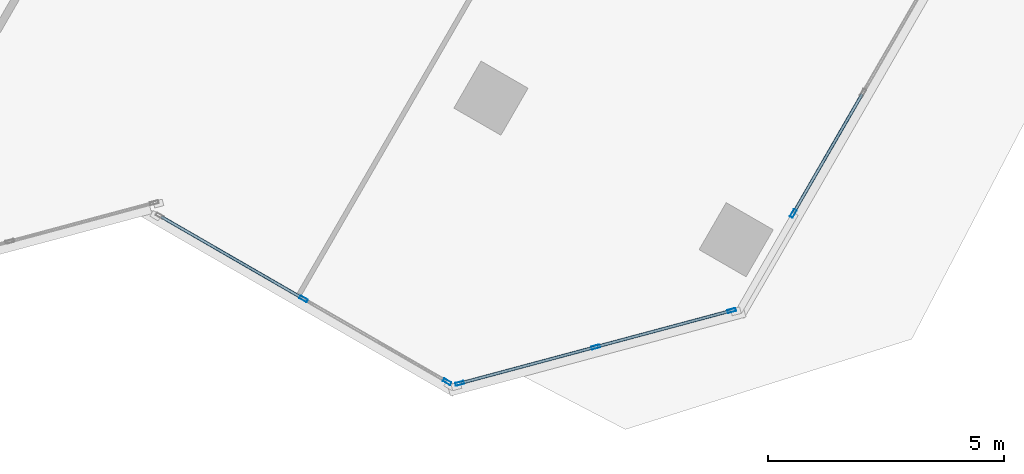
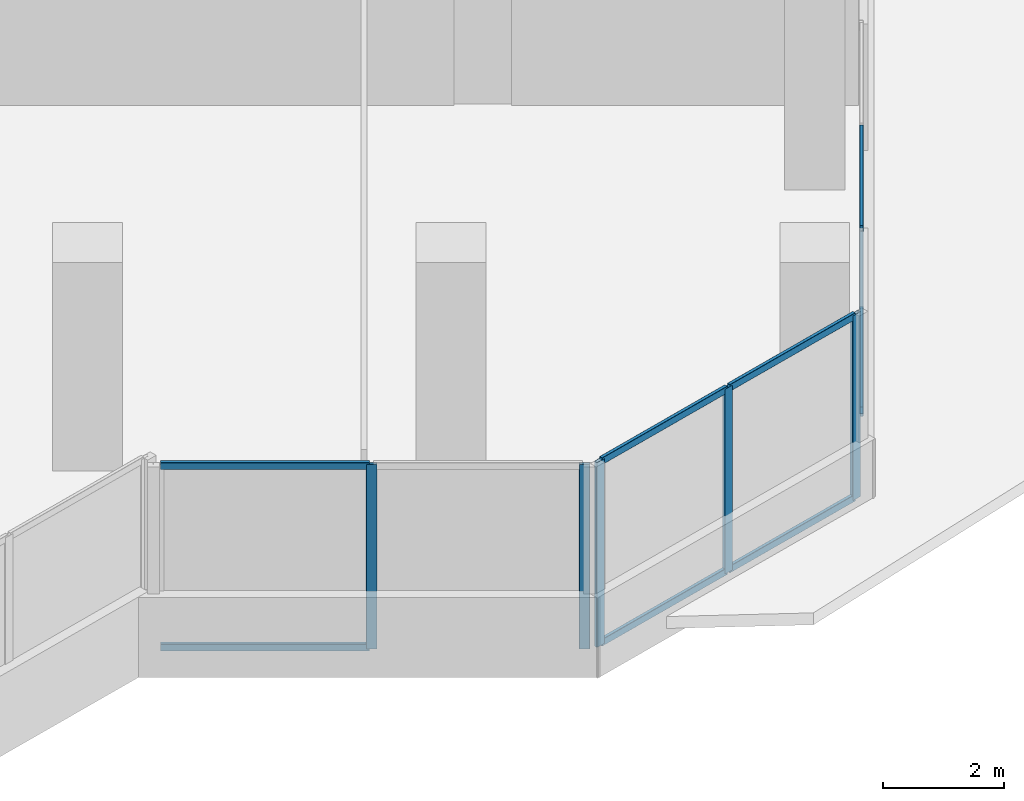
# One storey, part 8 of 21: 14 members, 3 elements without a shape of their own.
"""IFC4 building model written with IfcOpenShell, lengths in metres."""

from ifc_helpers import new_model, si_unit, direction, frame, origin, origin_2d, place, context, subcontext, project, spatial, hollow_rectangle, extrude, source, transform, mapped, material, material_profile, profile_set, type_object, element, aggregate, save


model = new_model("IFC4")

# Units and contexts
model_context = context("Model", 3, precision=1e-05, world=origin(), true_north=direction((0.0, 1.0)))
body_context = subcontext(model_context, "Body", "Model", "MODEL_VIEW")
ifc_project = project(units=[si_unit("LENGTHUNIT", "METRE"), si_unit("AREAUNIT", "SQUARE_METRE"), si_unit("VOLUMEUNIT", "CUBIC_METRE"), si_unit("PLANEANGLEUNIT", "RADIAN"), si_unit("MASSUNIT", "GRAM", prefix="KILO")], contexts=[model_context])

# Site, building, storey
site_placement = place(None, origin())
site = spatial("IfcSite", under=ifc_project, at=site_placement, CompositionType="ELEMENT")
building_placement = place(site_placement, origin())
building = spatial("IfcBuilding", under=site, at=building_placement, Name="Torre Montelarca", CompositionType="ELEMENT")
storey_placement = place(building_placement, frame((0.0, 0.0, 179.199951171875)))
storey = spatial("IfcBuildingStorey", under=building, at=storey_placement, Name="L40", CompositionType="ELEMENT", Elevation=179.199951171875)

# Curtain wall, members
ifc_material_1 = material(Name="Insulated low-E laminated glass", Category="glass")
curtain_wall_type = type_object("IfcCurtainWallType", Name="CW-SYS-Z2", PredefinedType="USERDEFINED", material=ifc_material_1)
curtain_wall_1_placement = place(storey_placement, origin())
curtain_wall_1 = element("IfcCurtainWall", 1, at=curtain_wall_1_placement, inside=storey, type_object=curtain_wall_type, Name="L40 Curtain Wall Run CW-T3-L40-E05-B1", ObjectType="UNITISED GLAZING", PredefinedType="USERDEFINED")
ifc_material_2 = material(Name="Anodised aluminium AA 6063-T6", Category="aluminium")
ifc_material_profile_1 = material_profile(ifc_material_2, hollow_rectangle(XDim=0.06494140625, YDim=0.139892578125, WallThickness=0.00390625, InnerFilletRadius=0.00390625, OuterFilletRadius=0.008056640625, at=origin_2d()), Name="ALU65X140X4", Category="aluminium")
ifc_profile_set_1 = profile_set([ifc_material_profile_1], Name="Anodised aluminium AA 6063-T6")
member_type_1 = type_object("IfcMemberType", Name="CWT-ALU140", PredefinedType="USERDEFINED", material=ifc_profile_set_1)
shared_shape_1 = source(origin(), body_context, "Body", "SweptSolid", [
    extrude(hollow_rectangle(XDim=0.06494140625, YDim=0.139892578125, WallThickness=0.00390625, InnerFilletRadius=0.00390625, OuterFilletRadius=0.008056640625, at=origin_2d()), origin(), (0.0, 0.0, 1.0), 2.918701171875),
])
member_1_placement = place(storey_placement, frame((37.503173828125, 9.556396484375, 0.032470703125), z_axis=(0.965931624192, 0.258797406066, 0.0), x_axis=(-0.258797406066, 0.965931624192, 0.0)))
member_1 = element("IfcMember", 2, at=member_1_placement, type_object=member_type_1, Name="CW transom 2.1", ObjectType="TRANSOM", PredefinedType="USERDEFINED", context=body_context, shape_type="MappedRepresentation", body=[
    mapped(shared_shape_1, transform((0.0, 0.0, 0.0), scale=1.0)),
])
member_2_placement = place(storey_placement, frame((37.503173828125, 9.556396484375, 3.6875), z_axis=(0.965931624192, 0.258797406066, 0.0), x_axis=(-0.258797406066, 0.965931624192, 0.0)))
member_2 = element("IfcMember", 3, at=member_2_placement, type_object=member_type_1, Name="CW transom 2.2", ObjectType="TRANSOM", PredefinedType="USERDEFINED", context=body_context, shape_type="MappedRepresentation", body=[
    mapped(shared_shape_1, transform((0.0, 0.0, 0.0), scale=1.0)),
])
shared_shape_2 = source(origin(), body_context, "Body", "SweptSolid", [
    extrude(hollow_rectangle(XDim=0.06494140625, YDim=0.139892578125, WallThickness=0.00390625, InnerFilletRadius=0.00390625, OuterFilletRadius=0.008056640625, at=origin_2d()), origin(), (0.0, 0.0, 1.0), 2.91845703125),
])
member_3_placement = place(storey_placement, frame((34.621337890625, 8.7841796875, 0.032470703125), z_axis=(0.965926021302, 0.258818317304, 0.0), x_axis=(-0.258818317304, 0.965926021302, 0.0)))
member_3 = element("IfcMember", 4, at=member_3_placement, type_object=member_type_1, Name="CW transom 1.1", ObjectType="TRANSOM", PredefinedType="USERDEFINED", context=body_context, shape_type="MappedRepresentation", body=[
    mapped(shared_shape_2, transform((0.0, 0.0, 0.0), scale=1.0)),
])
member_4_placement = place(storey_placement, frame((34.621337890625, 8.7841796875, 3.6875), z_axis=(0.965926021302, 0.258818317304, 0.0), x_axis=(-0.258818317304, 0.965926021302, 0.0)))
member_4 = element("IfcMember", 5, at=member_4_placement, type_object=member_type_1, Name="CW transom 1.2", ObjectType="TRANSOM", PredefinedType="USERDEFINED", context=body_context, shape_type="MappedRepresentation", body=[
    mapped(shared_shape_2, transform((0.0, 0.0, 0.0), scale=1.0)),
])

curtain_wall_2_placement = place(storey_placement, origin())
curtain_wall_2 = element("IfcCurtainWall", 6, at=curtain_wall_2_placement, inside=storey, type_object=curtain_wall_type, Name="L40 Curtain Wall Run CW-T3-L40-E04-B1", ObjectType="UNITISED GLAZING", PredefinedType="USERDEFINED")
ifc_material_profile_2 = material_profile(ifc_material_2, hollow_rectangle(XDim=0.06494140625, YDim=0.179931640625, WallThickness=0.00390625, InnerFilletRadius=0.00390625, OuterFilletRadius=0.008056640625, at=origin_2d()), Name="ALU65X180X4", Category="aluminium")
ifc_profile_set_2 = profile_set([ifc_material_profile_2], Name="Anodised aluminium AA 6063-T6")
member_type_2 = type_object("IfcMemberType", Name="CWM-ALU180", PredefinedType="MULLION", material=ifc_profile_set_2)
shared_shape_3 = source(origin(), body_context, "Body", "SweptSolid", [
    extrude(hollow_rectangle(XDim=0.06494140625, YDim=0.179931640625, WallThickness=0.00390625, InnerFilletRadius=0.00390625, OuterFilletRadius=0.008056640625, at=origin_2d()), origin(), (0.0, 0.0, 1.0), 3.719970703125),
])
member_5_placement = place(storey_placement, frame((31.282470703125, 10.5673828125, 0.0), z_axis=(0.0, 0.0, 1.0), x_axis=(0.499995443442, 0.866028034499, 0.0)))
member_5 = element("IfcMember", 7, at=member_5_placement, type_object=member_type_2, Name="CW mullion 2", PredefinedType="MULLION", context=body_context, shape_type="MappedRepresentation", body=[
    mapped(shared_shape_3, transform((0.0, 0.0, 0.0), scale=1.0)),
])
member_6_placement = place(storey_placement, frame((34.3251953125, 8.810546875, 0.0), z_axis=(0.0, 0.0, 1.0), x_axis=(0.499995443442, 0.866028034499, 0.0)))
member_6 = element("IfcMember", 8, at=member_6_placement, type_object=member_type_2, Name="CW mullion 3", PredefinedType="MULLION", context=body_context, shape_type="MappedRepresentation", body=[
    mapped(shared_shape_3, transform((0.0, 0.0, 0.0), scale=1.0)),
])

# Member
member_7_placement = place(storey_placement, frame((34.590087890625, 8.775634765625, 0.0), z_axis=(0.0, 0.0, 1.0), x_axis=(-0.258829444593, 0.965923039694, 0.0)))
member_7 = element("IfcMember", 9, at=member_7_placement, type_object=member_type_2, Name="CW mullion 1", PredefinedType="MULLION", context=body_context, shape_type="MappedRepresentation", body=[
    mapped(shared_shape_3, transform((0.0, 0.0, 0.0), scale=1.0)),
])

member_8_placement = place(storey_placement, frame((37.471923828125, 9.5478515625, 0.0), z_axis=(0.0, 0.0, 1.0), x_axis=(-0.258829444593, 0.965923039694, 0.0)))
member_8 = element("IfcMember", 10, at=member_8_placement, type_object=member_type_2, Name="CW mullion 2", PredefinedType="MULLION", context=body_context, shape_type="MappedRepresentation", body=[
    mapped(shared_shape_3, transform((0.0, 0.0, 0.0), scale=1.0)),
])

member_9_placement = place(storey_placement, frame((40.353759765625, 10.320068359375, 0.0), z_axis=(0.0, 0.0, 1.0), x_axis=(-0.258829444593, 0.965923039694, 0.0)))
member_9 = element("IfcMember", 11, at=member_9_placement, type_object=member_type_2, Name="CW mullion 3", PredefinedType="MULLION", context=body_context, shape_type="MappedRepresentation", body=[
    mapped(shared_shape_3, transform((0.0, 0.0, 0.0), scale=1.0)),
])

aggregate(curtain_wall_1, [member_7, member_8, member_9, member_3, member_4, member_1, member_2])

# Curtain wall, member
curtain_wall_3_placement = place(storey_placement, origin())
curtain_wall_3 = element("IfcCurtainWall", 12, at=curtain_wall_3_placement, inside=storey, type_object=curtain_wall_type, Name="L40 Curtain Wall Run CW-T3-L40-E06-B1", ObjectType="UNITISED GLAZING", PredefinedType="USERDEFINED")
member_10_placement = place(storey_placement, frame((41.66015625, 12.378662109375, 0.0), z_axis=(0.0, 0.0, 1.0), x_axis=(-0.866023663049, 0.50000301503, 0.0)))
member_10 = element("IfcMember", 13, at=member_10_placement, type_object=member_type_2, Name="CW mullion 1", PredefinedType="MULLION", context=body_context, shape_type="MappedRepresentation", body=[
    mapped(shared_shape_3, transform((0.0, 0.0, 0.0), scale=1.0)),
])

# Member
shared_shape_4 = source(origin(), body_context, "Body", "SweptSolid", [
    extrude(hollow_rectangle(XDim=0.06494140625, YDim=0.139892578125, WallThickness=0.00390625, InnerFilletRadius=0.00390625, OuterFilletRadius=0.008056640625, at=origin_2d()), origin(), (0.0, 0.0, 1.0), 3.44873046875),
])
member_11_placement = place(storey_placement, frame((28.267578125, 12.307861328125, 0.032470703125), z_axis=(0.866016999519, -0.500014556332, 0.0), x_axis=(0.500014556332, 0.866016999519, 0.0)))
member_11 = element("IfcMember", 14, at=member_11_placement, type_object=member_type_1, Name="CW transom 1.1", ObjectType="TRANSOM", PredefinedType="USERDEFINED", context=body_context, shape_type="MappedRepresentation", body=[
    mapped(shared_shape_4, transform((0.0, 0.0, 0.0), scale=1.0)),
])

member_12_placement = place(storey_placement, frame((28.267578125, 12.307861328125, 3.6875), z_axis=(0.866016999519, -0.500014556332, 0.0), x_axis=(0.500014556332, 0.866016999519, 0.0)))
member_12 = element("IfcMember", 15, at=member_12_placement, type_object=member_type_1, Name="CW transom 1.2", ObjectType="TRANSOM", PredefinedType="USERDEFINED", context=body_context, shape_type="MappedRepresentation", body=[
    mapped(shared_shape_4, transform((0.0, 0.0, 0.0), scale=1.0)),
])

aggregate(curtain_wall_2, [member_5, member_6, member_11, member_12])

shared_shape_5 = source(origin(), body_context, "Body", "SweptSolid", [
    extrude(hollow_rectangle(XDim=0.06494140625, YDim=0.139892578125, WallThickness=0.00390625, InnerFilletRadius=0.00390625, OuterFilletRadius=0.008056640625, at=origin_2d()), origin(), (0.0, 0.0, 1.0), 2.885009765625),
])
member_13_placement = place(storey_placement, frame((41.676513671875, 12.40673828125, 0.032470703125), z_axis=(0.49996174997, 0.866047486323, 0.0), x_axis=(-0.866047486323, 0.49996174997, 0.0)))
member_13 = element("IfcMember", 16, at=member_13_placement, type_object=member_type_1, Name="CW transom 1.1", ObjectType="TRANSOM", PredefinedType="USERDEFINED", context=body_context, shape_type="MappedRepresentation", body=[
    mapped(shared_shape_5, transform((0.0, 0.0, 0.0), scale=1.0)),
])

member_14_placement = place(storey_placement, frame((41.676513671875, 12.40673828125, 3.6875), z_axis=(0.49996174997, 0.866047486323, 0.0), x_axis=(-0.866047486323, 0.49996174997, 0.0)))
member_14 = element("IfcMember", 17, at=member_14_placement, type_object=member_type_1, Name="CW transom 1.2", ObjectType="TRANSOM", PredefinedType="USERDEFINED", context=body_context, shape_type="MappedRepresentation", body=[
    mapped(shared_shape_5, transform((0.0, 0.0, 0.0), scale=1.0)),
])

aggregate(curtain_wall_3, [member_10, member_13, member_14])

save(model, "model.ifc")
